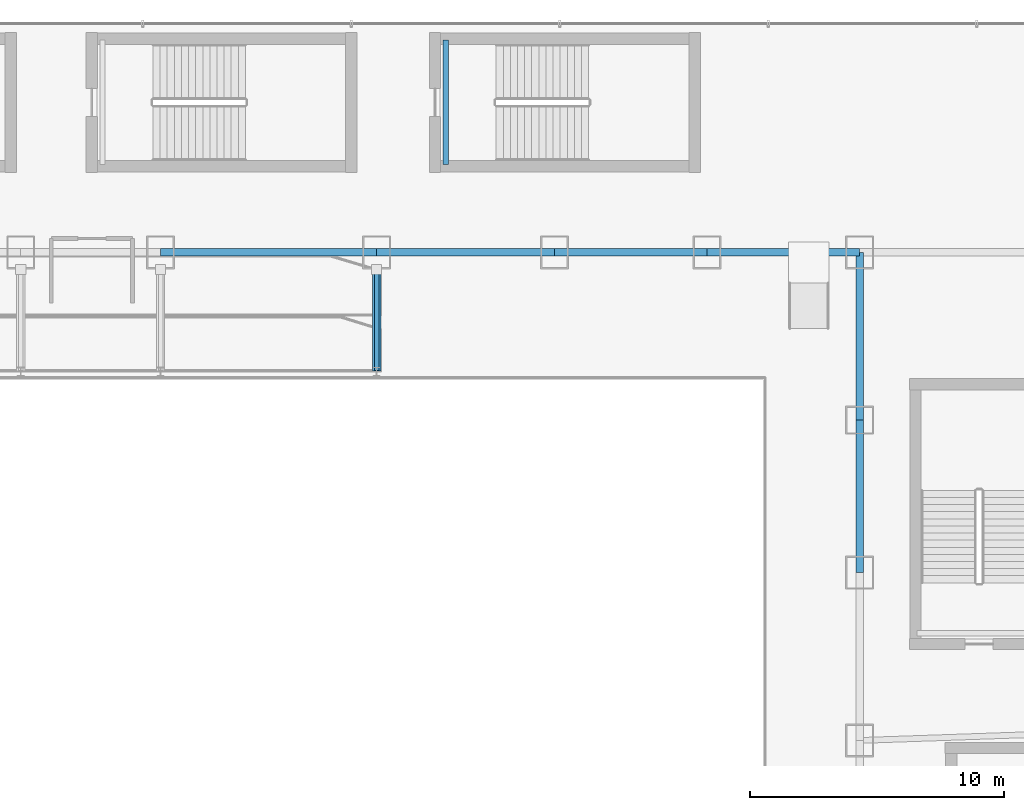
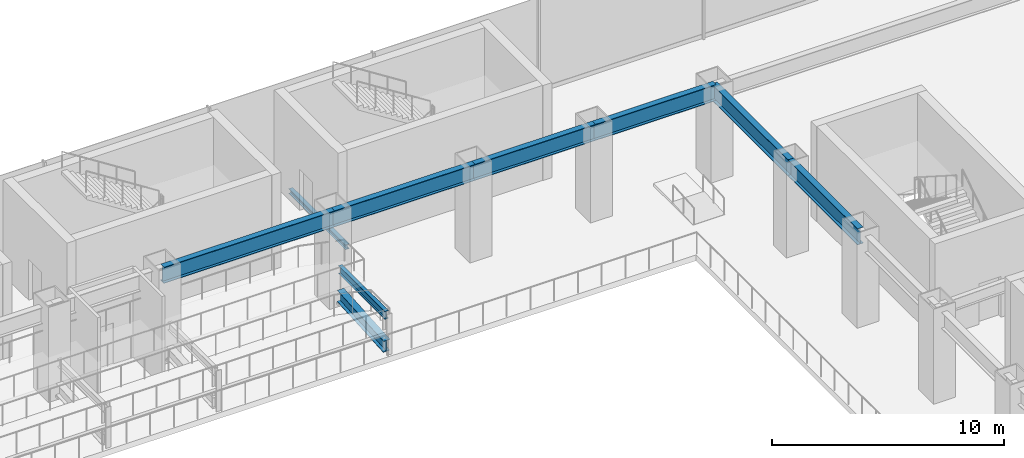
# One storey, part 16 of 39: 9 beams.
"""IFC4 building model written with IfcOpenShell, lengths in metres."""

from ifc_helpers import new_model, si_unit, derived_unit, direction, frame, origin, origin_2d, place, context, subcontext, project, spatial, i_section, extrude, source, transform, mapped, material, material_profile, profile_set, type_object, element, save


model = new_model("IFC4")

# Units and contexts
model_context = context("Model", 3, precision=1e-05, world=origin(), true_north=direction((0.0, 1.0)))
body_context = subcontext(model_context, "Body", "Model", "MODEL_VIEW")
ifc_project = project(units=[si_unit("LENGTHUNIT", "METRE"), si_unit("AREAUNIT", "SQUARE_METRE"), si_unit("VOLUMEUNIT", "CUBIC_METRE"), si_unit("PLANEANGLEUNIT", "RADIAN"), si_unit("MASSUNIT", "GRAM", prefix="KILO"), derived_unit("THERMALTRANSMITTANCEUNIT", [(si_unit("POWERUNIT", "WATT"), 1), (si_unit("LENGTHUNIT", "METRE"), -2), (si_unit("THERMODYNAMICTEMPERATUREUNIT", "KELVIN"), -1)])], contexts=[model_context])

# Site, building, storey
site_placement = place(None, origin())
site = spatial("IfcSite", under=ifc_project, at=site_placement, CompositionType="ELEMENT")
building_placement = place(site_placement, origin())
building = spatial("IfcBuilding", under=site, at=building_placement, Name="Skarnbrae Concourse Arena and Tower", CompositionType="ELEMENT")
storey_placement = place(building_placement, frame((0.0, 0.0, 16.0)))
storey = spatial("IfcBuildingStorey", under=building, at=storey_placement, Name="L03", CompositionType="ELEMENT", Elevation=16.0)

# Beams
ifc_material = material(Name="Steel CSA G40.21 350W", Category="steel")
ifc_material_profile_1 = material_profile(ifc_material, i_section(OverallWidth=0.2939453125, OverallDepth=0.85107421875, WebThickness=0.01611328125, FlangeThickness=0.02685546875, at=origin_2d()), Name="W840X226")
ifc_profile_set_1 = profile_set([ifc_material_profile_1], Name="Steel CSA G40.21 350W")
beam_type_1 = type_object("IfcBeamType", Name="BM-GIRD-W840X226", PredefinedType="BEAM", material=ifc_profile_set_1)
shared_shape_1 = source(origin(), body_context, "Body", "SweptSolid", [
    extrude(i_section(OverallWidth=0.2939453125, OverallDepth=0.85107421875, WebThickness=0.01611328125, FlangeThickness=0.02685546875, at=origin_2d()), origin(), (0.0, 0.0, 1.0), 6.60009765625),
])
beam_1_placement = place(storey_placement, frame((61.0, 40.39990234375, 4.2744140625), z_axis=(0.0, 1.0, 0.0), x_axis=(-1.0, 0.0, 0.0)))
element("IfcBeam", 1, at=beam_1_placement, inside=storey, type_object=beam_type_1, Name="L03 Podium east girder 6", PredefinedType="BEAM", context=body_context, shape_type="MappedRepresentation", body=[
    mapped(shared_shape_1, transform((0.0, 0.0, 0.0))),
])
shared_shape_2 = source(origin(), body_context, "Body", "SweptSolid", [
    extrude(i_section(OverallWidth=0.2939453125, OverallDepth=0.85107421875, WebThickness=0.01611328125, FlangeThickness=0.02685546875, at=origin_2d()), origin(), (0.0, 0.0, 1.0), 8.5),
])
beam_2_placement = place(storey_placement, frame((33.5, 47.0, 4.2744140625), z_axis=(1.0, 0.0, 0.0), x_axis=(0.0, 1.0, 0.0)))
element("IfcBeam", 2, at=beam_2_placement, inside=storey, type_object=beam_type_1, Name="L03 Podium north girder 6", PredefinedType="BEAM", context=body_context, shape_type="MappedRepresentation", body=[
    mapped(shared_shape_2, transform((0.0, 0.0, 0.0))),
])
shared_shape_3 = source(origin(), body_context, "Body", "SweptSolid", [
    extrude(i_section(OverallWidth=0.2939453125, OverallDepth=0.85107421875, WebThickness=0.01611328125, FlangeThickness=0.02685546875, at=origin_2d()), origin(), (0.0, 0.0, 1.0), 7.0),
])
beam_3_placement = place(storey_placement, frame((42.0, 47.0, 4.2744140625), z_axis=(1.0, 0.0, 0.0), x_axis=(0.0, 1.0, 0.0)))
element("IfcBeam", 3, at=beam_3_placement, inside=storey, type_object=beam_type_1, Name="L03 Podium north girder 7", PredefinedType="BEAM", context=body_context, shape_type="MappedRepresentation", body=[
    mapped(shared_shape_3, transform((0.0, 0.0, 0.0))),
])
shared_shape_4 = source(origin(), body_context, "Body", "SweptSolid", [
    extrude(i_section(OverallWidth=0.2939453125, OverallDepth=0.85107421875, WebThickness=0.01611328125, FlangeThickness=0.02685546875, at=origin_2d()), origin(), (0.0, 0.0, 1.0), 6.0),
])
for number, where, z_axis, x_axis, name in (
    (4, (49.0, 47.0, 4.2744140625), (1.0, 0.0, 0.0), (0.0, 1.0, 0.0), "L03 Podium north girder 8"),
    (5, (55.0, 47.0, 4.2744140625), (1.0, 0.0, 0.0), (0.0, 1.0, 0.0), "L03 Podium north girder 9"),
    (6, (61.0, 34.39990234375, 4.2744140625), (0.0, 1.0, 0.0), (-1.0, 0.0, 0.0), "L03 Podium east girder 5"),
):
    element("IfcBeam", number, at=place(storey_placement, frame(where, z_axis=z_axis, x_axis=x_axis)), inside=storey, type_object=beam_type_1, Name=name, PredefinedType="BEAM", context=body_context, shape_type="MappedRepresentation", body=[
        mapped(shared_shape_4, transform((0.0, 0.0, 0.0))),
    ])
ifc_material_profile_2 = material_profile(ifc_material, i_section(OverallWidth=0.180908203125, OverallDepth=0.4169921875, WebThickness=0.010986328125, FlangeThickness=0.018310546875, at=origin_2d()), Name="W410X85")
ifc_profile_set_2 = profile_set([ifc_material_profile_2], Name="Steel CSA G40.21 350W")
beam_type_2 = type_object("IfcBeamType", Name="BM-JOIST-W410X85", PredefinedType="JOIST", material=ifc_profile_set_2)
shared_shape_5 = source(origin(), body_context, "Body", "SweptSolid", [
    extrude(i_section(OverallWidth=0.180908203125, OverallDepth=0.4169921875, WebThickness=0.010986328125, FlangeThickness=0.018310546875, at=origin_2d()), origin(), (0.0, 0.0, 1.0), 4.0),
])
beam_4_placement = place(storey_placement, frame((42.0, 42.360107421875, 1.94140625), z_axis=(0.0, 1.0, 0.0), x_axis=(-1.0, 0.0, 0.0)))
element("IfcBeam", 7, at=beam_4_placement, inside=storey, type_object=beam_type_2, Name="L03 Arena upper seating tier cradle beam N05", PredefinedType="JOIST", context=body_context, shape_type="MappedRepresentation", body=[
    mapped(shared_shape_5, transform((0.0, 0.0, 0.0))),
])
ifc_material_profile_3 = material_profile(ifc_material, i_section(OverallWidth=0.323974609375, OverallDepth=0.611083984375, WebThickness=0.0126953125, FlangeThickness=0.01904296875, at=origin_2d()), Name="W610X155")
ifc_profile_set_3 = profile_set([ifc_material_profile_3], Name="Steel CSA G40.21 350W")
beam_type_3 = type_object("IfcBeamType", Name="BM-RAKER-W610X155", PredefinedType="USERDEFINED", material=ifc_profile_set_3)
shared_shape_6 = source(origin(), body_context, "Body", "SweptSolid", [
    extrude(i_section(OverallWidth=0.323974609375, OverallDepth=0.611083984375, WebThickness=0.0126953125, FlangeThickness=0.01904296875, at=origin_2d()), origin(), (0.0, 0.0, 1.0), 4.008544921875),
])
beam_5_placement = place(storey_placement, frame((42.0, 42.360107421875, 0.320068359375), z_axis=(0.0, 0.997894012809, 0.064865547097), x_axis=(-1.0, 0.0, 0.0)))
element("IfcBeam", 8, at=beam_5_placement, inside=storey, type_object=beam_type_3, Name="L03 Arena bowl sloped raker beam RB-N05", ObjectType="RAKER", PredefinedType="USERDEFINED", context=body_context, shape_type="MappedRepresentation", body=[
    mapped(shared_shape_6, transform((0.0, 0.0, 0.0))),
])
ifc_material_profile_4 = material_profile(ifc_material, i_section(OverallWidth=0.202880859375, OverallDepth=0.251953125, WebThickness=0.008056640625, FlangeThickness=0.013427734375, at=origin_2d()), Name="W250X58")
ifc_profile_set_4 = profile_set([ifc_material_profile_4], Name="Steel CSA G40.21 350W")
beam_type_4 = type_object("IfcBeamType", Name="BM-LINTEL-W250X58", PredefinedType="LINTEL", material=ifc_profile_set_4)
shared_shape_7 = source(origin(), body_context, "Body", "SweptSolid", [
    extrude(i_section(OverallWidth=0.202880859375, OverallDepth=0.251953125, WebThickness=0.008056640625, FlangeThickness=0.013427734375, at=origin_2d()), origin(), (0.0, 0.0, 1.0), 4.900146484375),
])
beam_6_placement = place(storey_placement, frame((44.719970703125, 50.449951171875, -0.325927734375), z_axis=(0.0, 1.0, 0.0), x_axis=(-1.0, 0.0, 0.0)))
element("IfcBeam", 9, at=beam_6_placement, inside=storey, type_object=beam_type_4, Name="L03 Stair ST-A8 near landing soffit beam", PredefinedType="LINTEL", context=body_context, shape_type="MappedRepresentation", body=[
    mapped(shared_shape_7, transform((0.0, 0.0, 0.0))),
])

save(model, "model.ifc")
